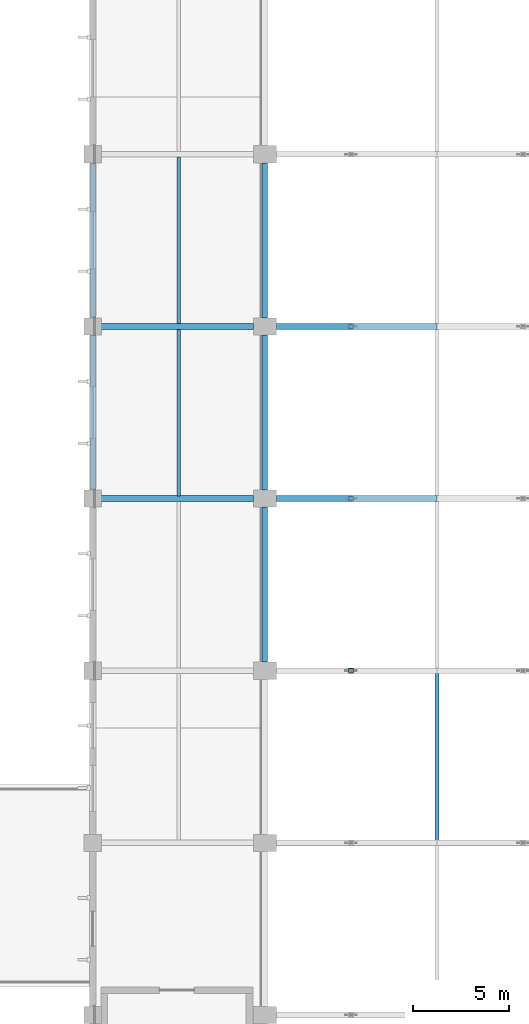
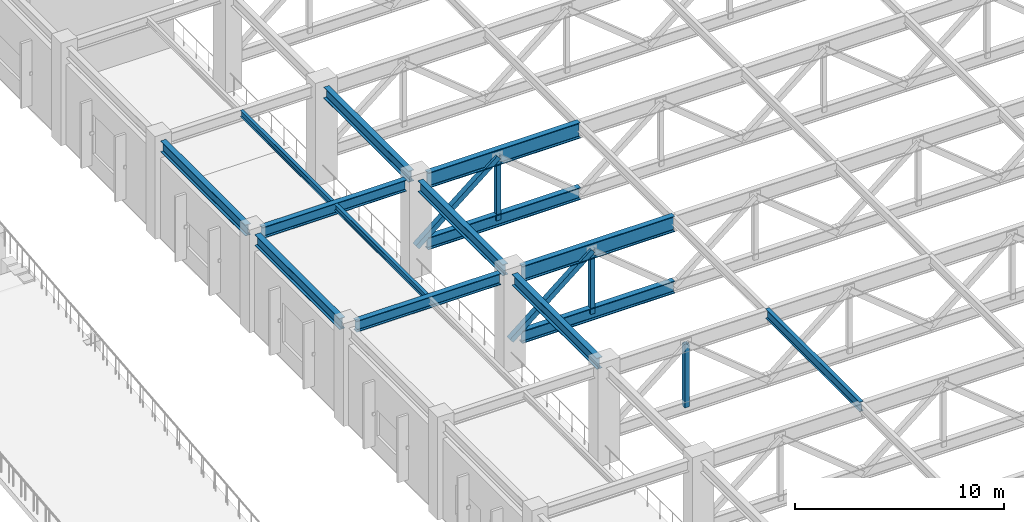
# One storey, part 16 of 223: 14 beams, 5 members.
"""IFC4 building model written with IfcOpenShell, lengths in metres."""

from ifc_helpers import new_model, si_unit, direction, frame, origin, origin_2d, place, context, subcontext, project, spatial, hollow_rectangle, i_section, extrude, material, material_profile, profile_set, type_object, element, save


model = new_model("IFC4")

# Units and contexts
model_context = context("Model", 3, precision=1e-05, world=origin(), true_north=direction((0.0, 1.0)))
body_context = subcontext(model_context, "Body", "Model", "MODEL_VIEW")
ifc_project = project(units=[si_unit("LENGTHUNIT", "METRE"), si_unit("AREAUNIT", "SQUARE_METRE"), si_unit("VOLUMEUNIT", "CUBIC_METRE"), si_unit("PLANEANGLEUNIT", "RADIAN"), si_unit("MASSUNIT", "GRAM", prefix="KILO")], contexts=[model_context])

# Site, building, storey
site_placement = place(None, origin())
site = spatial("IfcSite", under=ifc_project, at=site_placement, CompositionType="ELEMENT")
building_placement = place(site_placement, origin())
building = spatial("IfcBuilding", under=site, at=building_placement, Name="Dornveld Trade and Exhibition Forum", CompositionType="ELEMENT")
storey_placement = place(building_placement, frame((0.0, 0.0, 6.0)))
storey = spatial("IfcBuildingStorey", under=building, at=storey_placement, Name="L01", CompositionType="ELEMENT", Elevation=6.0)

# Beams
ifc_material_1 = material(Name="Steel S355J2", Category="steel")
ifc_material_profile_1 = material_profile(ifc_material_1, i_section(OverallWidth=0.300048828125, OverallDepth=0.64990234375, WebThickness=0.01611328125, FlangeThickness=0.031005859375, FilletRadius=0.027099609375, at=origin_2d()), Name="HEB 650")
ifc_profile_set_1 = profile_set([ifc_material_profile_1], Name="Steel S355J2")
beam_type_1 = type_object("IfcBeamType", Name="BM-GIR-HEB650", PredefinedType="USERDEFINED", material=ifc_profile_set_1)
for number, where, z_axis, x_axis, name in (
    (1, (18.446044921875, 81.0, 5.324951171875), (1.0, 0.0, 0.0), (0.0, 1.0, 0.0), "L01 X-girder 1120"),
    (2, (18.446044921875, 90.0, 5.324951171875), (1.0, 0.0, 0.0), (0.0, 1.0, 0.0), "L01 X-girder 1121"),
):
    element("IfcBeam", number, at=place(storey_placement, frame(where, z_axis=z_axis, x_axis=x_axis)), inside=storey, type_object=beam_type_1, Name=name, ObjectType="GIRDER", PredefinedType="USERDEFINED", context=body_context, shape_type="SweptSolid", body=[
        extrude(i_section(OverallWidth=0.300048828125, OverallDepth=0.64990234375, WebThickness=0.01611328125, FlangeThickness=0.031005859375, FilletRadius=0.027099609375, at=origin_2d()), origin(), (0.0, 0.0, 1.0), 7.9580078125),
    ])
for number, where, z_axis, x_axis, name in (
    (3, (18.0, 81.446044921875, 5.324951171875), (0.0, 1.0, 0.0), (-1.0, 0.0, 0.0), "L01 Y-girder 1130"),
    (4, (18.0, 90.446044921875, 5.324951171875), (0.0, 1.0, 0.0), (-1.0, 0.0, 0.0), "L01 Y-girder 1131"),
    (5, (27.0, 72.446044921875, 5.31298828125), (0.0, 1.0, 0.0), (-1.0, 0.0, 0.0), "L01 Y-girder 1139"),
    (6, (27.0, 81.446044921875, 5.31298828125), (0.0, 1.0, 0.0), (-1.0, 0.0, 0.0), "L01 Y-girder 1140"),
    (7, (27.0, 90.446044921875, 5.31298828125), (0.0, 1.0, 0.0), (-1.0, 0.0, 0.0), "L01 Y-girder 1141"),
):
    element("IfcBeam", number, at=place(storey_placement, frame(where, z_axis=z_axis, x_axis=x_axis)), inside=storey, type_object=beam_type_1, Name=name, ObjectType="GIRDER", PredefinedType="USERDEFINED", context=body_context, shape_type="SweptSolid", body=[
        extrude(i_section(OverallWidth=0.300048828125, OverallDepth=0.64990234375, WebThickness=0.01611328125, FlangeThickness=0.031005859375, FilletRadius=0.027099609375, at=origin_2d()), origin(), (0.0, 0.0, 1.0), 8.10791015625),
    ])
ifc_material_2 = material(Name="Steel S355J2", Category="steel")
ifc_material_profile_2 = material_profile(ifc_material_2, i_section(OverallWidth=0.169921875, OverallDepth=0.360107421875, WebThickness=0.008056640625, FlangeThickness=0.0126953125, FilletRadius=0.01806640625, at=origin_2d()), Name="IPE 360")
ifc_profile_set_2 = profile_set([ifc_material_profile_2], Name="Steel S355J2")
beam_type_2 = type_object("IfcBeamType", Name="BM-JOIST-360", PredefinedType="JOIST", material=ifc_profile_set_2)
for number, where, z_axis, x_axis, name in (
    (8, (22.5, 81.14697265625, 5.469970703125), (0.0, 1.0, 0.0), (-1.0, 0.0, 0.0), "L01 secondary joist 1147"),
    (9, (22.5, 90.14697265625, 5.469970703125), (0.0, 1.0, 0.0), (-1.0, 0.0, 0.0), "L01 secondary joist 1148"),
):
    element("IfcBeam", number, at=place(storey_placement, frame(where, z_axis=z_axis, x_axis=x_axis)), inside=storey, type_object=beam_type_2, Name=name, PredefinedType="JOIST", context=body_context, shape_type="SweptSolid", body=[
        extrude(i_section(OverallWidth=0.169921875, OverallDepth=0.360107421875, WebThickness=0.008056640625, FlangeThickness=0.0126953125, FilletRadius=0.01806640625, at=origin_2d()), origin(), (0.0, 0.0, 1.0), 8.7060546875),
    ])
ifc_material_3 = material(Name="Steel S355J2", Category="steel")
ifc_material_profile_3 = material_profile(ifc_material_3, i_section(OverallWidth=0.2099609375, OverallDepth=0.550048828125, WebThickness=0.010986328125, FlangeThickness=0.01708984375, FilletRadius=0.02392578125, at=origin_2d()), Name="IPE 550")
ifc_profile_set_3 = profile_set([ifc_material_profile_3], Name="Steel S355J2")
beam_type_3 = type_object("IfcBeamType", Name="BM-SEC-550", PredefinedType="BEAM", material=ifc_profile_set_3)
beam_placement = place(storey_placement, frame((36.0, 63.0, 5.364990234375), z_axis=(0.0, 1.0, 0.0), x_axis=(-1.0, 0.0, 0.0)))
element("IfcBeam", 10, at=beam_placement, inside=storey, type_object=beam_type_3, Name="Hall 3 secondary deck beam 1377", PredefinedType="BEAM", context=body_context, shape_type="SweptSolid", body=[
    extrude(i_section(OverallWidth=0.2099609375, OverallDepth=0.550048828125, WebThickness=0.010986328125, FlangeThickness=0.01708984375, FilletRadius=0.02392578125, at=origin_2d()), origin(), (0.0, 0.0, 1.0), 9.0),
])
ifc_material_4 = material(Name="Steel S355J2", Category="steel")
ifc_material_profile_4 = material_profile(ifc_material_4, i_section(OverallWidth=0.303955078125, OverallDepth=0.716064453125, WebThickness=0.02099609375, FlangeThickness=0.0400390625, FilletRadius=0.027099609375, at=origin_2d()), Name="HEM 700")
ifc_profile_set_4 = profile_set([ifc_material_profile_4], Name="Steel S355J2")
beam_type_4 = type_object("IfcBeamType", Name="BM-TG-BOT700", PredefinedType="USERDEFINED", material=ifc_profile_set_4)
for number, where, z_axis, x_axis, name in (
    (11, (27.595947265625, 81.0, 1.5), (1.0, 0.0, 0.0), (0.0, 1.0, 0.0), "Hall 3 transfer truss 5 bottom chord 1"),
    (12, (27.595947265625, 90.0, 1.5), (1.0, 0.0, 0.0), (0.0, 1.0, 0.0), "Hall 3 transfer truss 6 bottom chord 1"),
):
    element("IfcBeam", number, at=place(storey_placement, frame(where, z_axis=z_axis, x_axis=x_axis)), inside=storey, type_object=beam_type_4, Name=name, ObjectType="GIRDER", PredefinedType="USERDEFINED", context=body_context, shape_type="SweptSolid", body=[
        extrude(i_section(OverallWidth=0.303955078125, OverallDepth=0.716064453125, WebThickness=0.02099609375, FlangeThickness=0.0400390625, FilletRadius=0.027099609375, at=origin_2d()), origin(), (0.0, 0.0, 1.0), 8.404052734375),
    ])
ifc_material_5 = material(Name="Steel S355J2", Category="steel")
ifc_material_profile_5 = material_profile(ifc_material_5, i_section(OverallWidth=0.302001953125, OverallDepth=0.909912109375, WebThickness=0.02099609375, FlangeThickness=0.0400390625, FilletRadius=0.030029296875, at=origin_2d()), Name="HEM 900")
ifc_profile_set_5 = profile_set([ifc_material_profile_5], Name="Steel S355J2")
beam_type_5 = type_object("IfcBeamType", Name="BM-TG-TOP900", PredefinedType="USERDEFINED", material=ifc_profile_set_5)
for number, where, z_axis, x_axis, name in (
    (13, (27.595947265625, 81.0, 5.18505859375), (1.0, 0.0, 0.0), (0.0, 1.0, 0.0), "Hall 3 transfer truss 5 top chord 1"),
    (14, (27.595947265625, 90.0, 5.18505859375), (1.0, 0.0, 0.0), (0.0, 1.0, 0.0), "Hall 3 transfer truss 6 top chord 1"),
):
    element("IfcBeam", number, at=place(storey_placement, frame(where, z_axis=z_axis, x_axis=x_axis)), inside=storey, type_object=beam_type_5, Name=name, ObjectType="GIRDER", PredefinedType="USERDEFINED", context=body_context, shape_type="SweptSolid", body=[
        extrude(i_section(OverallWidth=0.302001953125, OverallDepth=0.909912109375, WebThickness=0.02099609375, FlangeThickness=0.0400390625, FilletRadius=0.030029296875, at=origin_2d()), origin(), (0.0, 0.0, 1.0), 8.404052734375),
    ])

# Members
ifc_material_6 = material(Name="Steel S355J2", Category="steel")
ifc_material_profile_6 = material_profile(ifc_material_6, hollow_rectangle(XDim=0.25, YDim=0.25, WallThickness=0.012451171875, at=origin_2d()), Name="SHS 250x250x12.5")
ifc_profile_set_6 = profile_set([ifc_material_profile_6], Name="Steel S355J2")
member_type_1 = type_object("IfcMemberType", Name="MEM-XFER-STR", PredefinedType="STRUT", material=ifc_profile_set_6)
for number, where, z_axis, x_axis, name in (
    (15, (31.5, 72.0, 1.5), (0.0, 0.0, 1.0), (1.0, 0.0, 0.0), "Transfer truss 4 strut 57"),
    (16, (31.5, 81.0, 1.5), (0.0, 0.0, 1.0), (1.0, 0.0, 0.0), "Transfer truss 5 strut 75"),
    (17, (31.5, 90.0, 1.5), (0.0, 0.0, 1.0), (1.0, 0.0, 0.0), "Transfer truss 6 strut 93"),
):
    element("IfcMember", number, at=place(storey_placement, frame(where, z_axis=z_axis, x_axis=x_axis)), inside=storey, type_object=member_type_1, Name=name, PredefinedType="STRUT", context=body_context, shape_type="SweptSolid", body=[
        extrude(hollow_rectangle(XDim=0.25, YDim=0.25, WallThickness=0.012451171875, at=origin_2d()), origin(), (0.0, 0.0, 1.0), 3.68505859375),
    ])
ifc_material_7 = material(Name="Steel S355J2", Category="steel")
ifc_material_profile_7 = material_profile(ifc_material_7, hollow_rectangle(XDim=0.300048828125, YDim=0.300048828125, WallThickness=0.01611328125, at=origin_2d()), Name="SHS 300x300x16")
ifc_profile_set_7 = profile_set([ifc_material_profile_7], Name="Steel S355J2")
member_type_2 = type_object("IfcMemberType", Name="MEM-XFER-WEB", PredefinedType="BRACE", material=ifc_profile_set_7)
for number, where, z_axis, x_axis, name in (
    (18, (27.0, 81.0, 1.5), (0.773684181611, 0.0, 0.633571453843), (0.0, 1.0, 0.0), "Transfer truss 5 web 73"),
    (19, (27.0, 90.0, 1.5), (0.773684181611, 0.0, 0.633571453843), (0.0, 1.0, 0.0), "Transfer truss 6 web 91"),
):
    element("IfcMember", number, at=place(storey_placement, frame(where, z_axis=z_axis, x_axis=x_axis)), inside=storey, type_object=member_type_2, Name=name, PredefinedType="BRACE", context=body_context, shape_type="SweptSolid", body=[
        extrude(hollow_rectangle(XDim=0.300048828125, YDim=0.300048828125, WallThickness=0.01611328125, at=origin_2d()), origin(), (0.0, 0.0, 1.0), 5.81640625),
    ])

save(model, "model.ifc")
